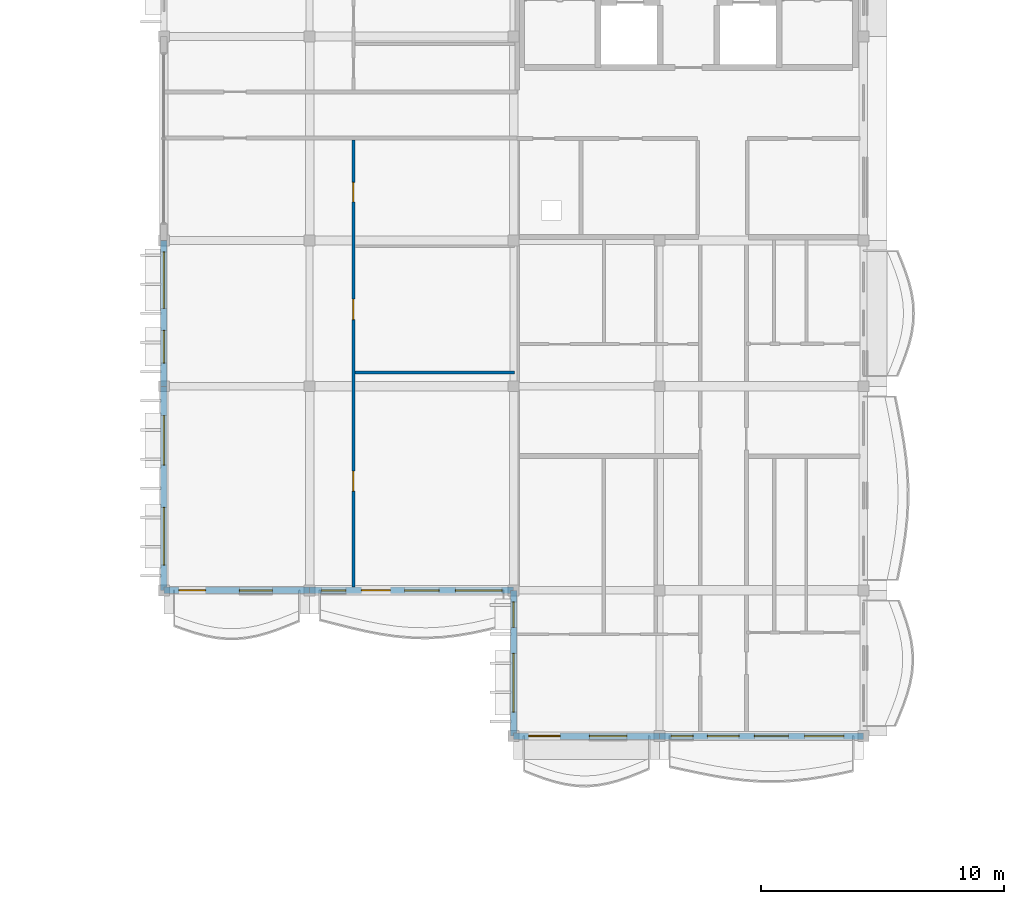
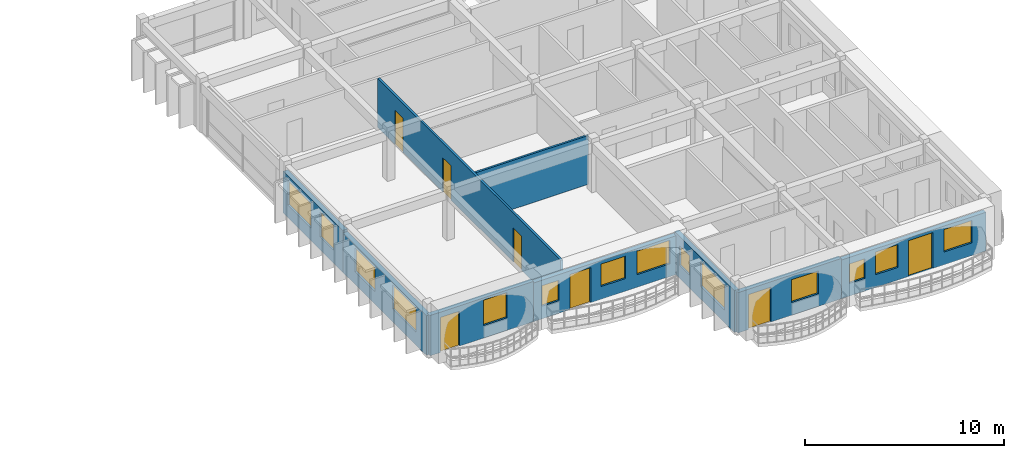
# One storey, part 38 of 68: 14 windows, 9 walls, 7 doors, 21 openings.
"""IFC4 building model written with IfcOpenShell, lengths in metres."""

from ifc_helpers import new_model, si_unit, direction, frame, frame_2d, origin, place, context, subcontext, project, spatial, rectangle, extrude, material, layer, layer_set, type_object, element, fill, save


model = new_model("IFC4")

# Units and contexts
model_context = context("Model", 3, precision=1e-05, world=origin(), true_north=direction((0.0, 1.0)))
body_context = subcontext(model_context, "Body", "Model", "MODEL_VIEW")
ifc_project = project(units=[si_unit("LENGTHUNIT", "METRE"), si_unit("AREAUNIT", "SQUARE_METRE"), si_unit("VOLUMEUNIT", "CUBIC_METRE"), si_unit("PLANEANGLEUNIT", "RADIAN"), si_unit("MASSUNIT", "GRAM", prefix="KILO"), si_unit("THERMODYNAMICTEMPERATUREUNIT", "KELVIN")], contexts=[model_context])

# Site, building, storey
site_placement = place(None, origin())
site = spatial("IfcSite", under=ifc_project, at=site_placement, CompositionType="ELEMENT")
building_placement = place(site_placement, origin())
building = spatial("IfcBuilding", under=site, at=building_placement, Name="Thalorik Housing Commons", CompositionType="ELEMENT")
storey_placement = place(building_placement, frame((0.0, 0.0, 24.60009765625)))
storey = spatial("IfcBuildingStorey", under=building, at=storey_placement, Name="L07", CompositionType="ELEMENT", Elevation=24.60009765625)

# Wall, openings, windows
ifc_material_1 = material(Name="White precast concrete C40/50", Category="concrete")
ifc_layer_1 = layer(ifc_material_1, 0.264892578125, Name="White precast concrete C40/50", Category="concrete")
ifc_layer_set_1 = layer_set([ifc_layer_1], Name="White precast concrete C40/50")
wall_type_1 = type_object("IfcWallType", Name="ARC-WAL-EXT-265", PredefinedType="STANDARD", material=ifc_layer_set_1)
wall_1_placement = place(storey_placement, frame((138.0, 57.60009765625, 0.0), z_axis=(0.0, 0.0, 1.0), x_axis=(0.0, -1.0, 0.0)))
wall_1 = element("IfcWall", 1, at=wall_1_placement, inside=storey, type_object=wall_type_1, Name="L07 Exterior Wall WAL-EXT-L07-D-1247", PredefinedType="STANDARD", context=body_context, shape_type="SweptSolid", body=[
    extrude(rectangle(XDim=6.0, YDim=0.264892578125, at=frame_2d((3.0, 0.0))), origin(), (0.0, 0.0, 1.0), 2.574951171875),
])
opening_1_placement = place(wall_1_placement, frame((0.469970703125, 0.0, 0.780029296875)))
opening_1 = element("IfcOpeningElement", 2, at=opening_1_placement, cuts=wall_1, Name="Opening W-68", PredefinedType="OPENING", context=body_context, shape_type="SweptSolid", body=[
    extrude(rectangle(XDim=2.320068359375, YDim=1.5, at=frame_2d((1.16015625, 0.75))), frame((0.0, 0.142578125, 0.0), z_axis=(0.0, -1.0, 0.0), x_axis=(1.0, 0.0, 0.0)), (0.0, 0.0, 1.0), 0.284912109375),
])
opening_2_placement = place(wall_1_placement, frame((3.695068359375, 0.0, 0.780029296875)))
opening_2 = element("IfcOpeningElement", 3, at=opening_2_placement, cuts=wall_1, Name="Opening W-07", PredefinedType="OPENING", context=body_context, shape_type="SweptSolid", body=[
    extrude(rectangle(XDim=1.35009765625, YDim=1.550048828125, at=frame_2d((0.675048828125, 0.77490234375))), frame((0.0, 0.142578125, 0.0), z_axis=(0.0, -1.0, 0.0), x_axis=(1.0, 0.0, 0.0)), (0.0, 0.0, 1.0), 0.284912109375),
])
ifc_material_2 = material(Name="Anodised aluminium and solar-control low-E glass", Category="aluminium")
window_type_1 = type_object("IfcWindowType", Name="ARC-WIN-07", PartitioningType="SINGLE_PANEL", PredefinedType="WINDOW", material=ifc_material_2)
window_1_placement = place(opening_2_placement, origin())
window_1 = element("IfcWindow", 4, at=window_1_placement, inside=storey, type_object=window_type_1, Name="L07 Facade Window 2272", OverallHeight=1.550048828125, OverallWidth=1.35009765625, PartitioningType="SINGLE_PANEL", PredefinedType="WINDOW", context=body_context, shape_type="SweptSolid", body=[
    extrude(rectangle(XDim=1.35009765625, YDim=1.550048828125, at=frame_2d((0.675048828125, 0.77490234375))), frame((0.0, 0.030029296875, 0.0), z_axis=(0.0, -1.0, 0.0), x_axis=(1.0, 0.0, 0.0)), (0.0, 0.0, 1.0), 0.06005859375),
])
fill(opening_2, window_1)
window_type_2 = type_object("IfcWindowType", Name="ARC-WIN-68", PartitioningType="DOUBLE_PANEL_VERTICAL", PredefinedType="WINDOW", material=ifc_material_2)
window_2_placement = place(opening_1_placement, origin())
window_2 = element("IfcWindow", 5, at=window_2_placement, inside=storey, type_object=window_type_2, Name="L07 Facade Window 2271", OverallHeight=1.5, OverallWidth=2.320068359375, PartitioningType="DOUBLE_PANEL_VERTICAL", PredefinedType="WINDOW", context=body_context, shape_type="SweptSolid", body=[
    extrude(rectangle(XDim=2.320068359375, YDim=1.5, at=frame_2d((1.16015625, 0.75))), frame((0.0, 0.030029296875, 0.0), z_axis=(0.0, -1.0, 0.0), x_axis=(1.0, 0.0, 0.0)), (0.0, 0.0, 1.0), 0.06005859375),
])
fill(opening_1, window_2)

wall_2_placement = place(storey_placement, frame((138.0, 51.60009765625, 0.0), z_axis=(0.0, 0.0, 1.0), x_axis=(0.0, -1.0, 0.0)))
wall_2 = element("IfcWall", 6, at=wall_2_placement, inside=storey, type_object=wall_type_1, Name="L07 Exterior Wall WAL-EXT-L07-D-1248", PredefinedType="STANDARD", context=body_context, shape_type="SweptSolid", body=[
    extrude(rectangle(XDim=8.400146484375, YDim=0.264892578125, at=frame_2d((4.2001953125, 0.0))), origin(), (0.0, 0.0, 1.0), 2.4248046875),
])
opening_3_placement = place(wall_2_placement, frame((1.2099609375, 0.0, 0.780029296875)))
opening_3 = element("IfcOpeningElement", 7, at=opening_3_placement, cuts=wall_2, Name="Opening W-62", PredefinedType="OPENING", context=body_context, shape_type="SweptSolid", body=[
    extrude(rectangle(XDim=2.0400390625, YDim=1.4599609375, at=frame_2d((1.02001953125, 0.72998046875))), frame((0.0, 0.142578125, 0.0), z_axis=(0.0, -1.0, 0.0), x_axis=(1.0, 0.0, 0.0)), (0.0, 0.0, 1.0), 0.284912109375),
])
opening_4_placement = place(wall_2_placement, frame((4.97998046875, 0.0, 0.780029296875)))
opening_4 = element("IfcOpeningElement", 8, at=opening_4_placement, cuts=wall_2, Name="Opening W-69", PredefinedType="OPENING", context=body_context, shape_type="SweptSolid", body=[
    extrude(rectangle(XDim=2.3798828125, YDim=1.47998046875, at=frame_2d((1.18994140625, 0.739990234375))), frame((0.0, 0.142578125, 0.0), z_axis=(0.0, -1.0, 0.0), x_axis=(1.0, 0.0, 0.0)), (0.0, 0.0, 1.0), 0.284912109375),
])
window_type_3 = type_object("IfcWindowType", Name="ARC-WIN-62", PartitioningType="DOUBLE_PANEL_VERTICAL", PredefinedType="WINDOW", material=ifc_material_2)
window_3_placement = place(opening_3_placement, origin())
window_3 = element("IfcWindow", 9, at=window_3_placement, inside=storey, type_object=window_type_3, Name="L07 Facade Window 2273", OverallHeight=1.4599609375, OverallWidth=2.0400390625, PartitioningType="DOUBLE_PANEL_VERTICAL", PredefinedType="WINDOW", context=body_context, shape_type="SweptSolid", body=[
    extrude(rectangle(XDim=2.0400390625, YDim=1.4599609375, at=frame_2d((1.02001953125, 0.72998046875))), frame((0.0, 0.030029296875, 0.0), z_axis=(0.0, -1.0, 0.0), x_axis=(1.0, 0.0, 0.0)), (0.0, 0.0, 1.0), 0.06005859375),
])
fill(opening_3, window_3)
window_type_4 = type_object("IfcWindowType", Name="ARC-WIN-69", PartitioningType="DOUBLE_PANEL_VERTICAL", PredefinedType="WINDOW", material=ifc_material_2)
window_4_placement = place(opening_4_placement, origin())
window_4 = element("IfcWindow", 10, at=window_4_placement, inside=storey, type_object=window_type_4, Name="L07 Facade Window 2274", OverallHeight=1.47998046875, OverallWidth=2.3798828125, PartitioningType="DOUBLE_PANEL_VERTICAL", PredefinedType="WINDOW", context=body_context, shape_type="SweptSolid", body=[
    extrude(rectangle(XDim=2.3798828125, YDim=1.47998046875, at=frame_2d((1.18994140625, 0.739990234375))), frame((0.0, 0.030029296875, 0.0), z_axis=(0.0, -1.0, 0.0), x_axis=(1.0, 0.0, 0.0)), (0.0, 0.0, 1.0), 0.06005859375),
])
fill(opening_4, window_4)

# Wall, openings, door, window
wall_3_placement = place(storey_placement, frame((138.0, 43.199951171875, 0.0), z_axis=(0.0, 0.0, 1.0), x_axis=(1.0, 0.0, 0.0)))
wall_3 = element("IfcWall", 11, at=wall_3_placement, inside=storey, type_object=wall_type_1, Name="L07 Exterior Wall WAL-EXT-L07-D-1249", PredefinedType="STANDARD", context=body_context, shape_type="SweptSolid", body=[
    extrude(rectangle(XDim=6.0, YDim=0.264892578125, at=frame_2d((3.0, 0.0))), origin(), (0.0, 0.0, 1.0), 2.474853515625),
])
opening_5_placement = place(wall_3_placement, frame((0.6201171875, 0.0, 0.0)))
opening_5 = element("IfcOpeningElement", 12, at=opening_5_placement, cuts=wall_3, Name="Opening ED-0423", PredefinedType="OPENING", context=body_context, shape_type="SweptSolid", body=[
    extrude(rectangle(XDim=1.10009765625, YDim=2.14990234375, at=frame_2d((0.550048828125, 1.074951171875))), frame((0.0, 0.142578125, 0.0), z_axis=(0.0, -1.0, 0.0), x_axis=(1.0, 0.0, 0.0)), (0.0, 0.0, 1.0), 0.284912109375),
])
opening_6_placement = place(wall_3_placement, frame((3.114990234375, 0.0, 0.780029296875)))
opening_6 = element("IfcOpeningElement", 13, at=opening_6_placement, cuts=wall_3, Name="Opening W-07", PredefinedType="OPENING", context=body_context, shape_type="SweptSolid", body=[
    extrude(rectangle(XDim=1.35009765625, YDim=1.550048828125, at=frame_2d((0.675048828125, 0.77490234375))), frame((0.0, 0.142578125, 0.0), z_axis=(0.0, -1.0, 0.0), x_axis=(1.0, 0.0, 0.0)), (0.0, 0.0, 1.0), 0.284912109375),
])
ifc_material_3 = material(Name="Anodised aluminium and laminated safety glass", Category="aluminium")
door_type_1 = type_object("IfcDoorType", Name="ARC-DR-BAL-1100", OperationType="NOTDEFINED", PredefinedType="DOOR", material=ifc_material_3)
door_1_placement = place(opening_5_placement, frame((1.10009765625, 0.0, 0.0), z_axis=(0.0, 0.0, 1.0), x_axis=(-1.0, 0.0, 0.0)))
door_1 = element("IfcDoor", 14, at=door_1_placement, inside=storey, type_object=door_type_1, Name="L07 Block D Balcony Glazed Door", OperationType="SINGLE_SWING_RIGHT", OverallHeight=2.14990234375, OverallWidth=1.10009765625, PredefinedType="DOOR", context=body_context, shape_type="SweptSolid", body=[
    extrude(rectangle(XDim=1.10009765625, YDim=2.14990234375, at=frame_2d((0.550048828125, 1.074951171875))), frame((0.0, 0.02490234375, 0.0), z_axis=(0.0, -1.0, 0.0), x_axis=(1.0, 0.0, 0.0)), (0.0, 0.0, 1.0), 0.050048828125),
])
fill(opening_5, door_1)
window_5_placement = place(opening_6_placement, origin())
window_5 = element("IfcWindow", 15, at=window_5_placement, inside=storey, type_object=window_type_1, Name="L07 Facade Window 2275", OverallHeight=1.550048828125, OverallWidth=1.35009765625, PartitioningType="SINGLE_PANEL", PredefinedType="WINDOW", context=body_context, shape_type="SweptSolid", body=[
    extrude(rectangle(XDim=1.35009765625, YDim=1.550048828125, at=frame_2d((0.675048828125, 0.77490234375))), frame((0.0, 0.030029296875, 0.0), z_axis=(0.0, -1.0, 0.0), x_axis=(1.0, 0.0, 0.0)), (0.0, 0.0, 1.0), 0.06005859375),
])
fill(opening_6, window_5)

# Wall, openings, door, windows
wall_4_placement = place(storey_placement, frame((144.0, 43.199951171875, 0.0), z_axis=(0.0, 0.0, 1.0), x_axis=(1.0, 0.0, 0.0)))
wall_4 = element("IfcWall", 16, at=wall_4_placement, inside=storey, type_object=wall_type_1, Name="L07 Exterior Wall WAL-EXT-L07-D-1250", PredefinedType="STANDARD", context=body_context, shape_type="SweptSolid", body=[
    extrude(rectangle(XDim=8.39990234375, YDim=0.264892578125, at=frame_2d((4.199951171875, 0.0))), origin(), (0.0, 0.0, 1.0), 2.375),
])
opening_7_placement = place(wall_4_placement, frame((2.1298828125, 0.0, 0.0)))
opening_7 = element("IfcOpeningElement", 17, at=opening_7_placement, cuts=wall_4, Name="Opening ED-0424", PredefinedType="OPENING", context=body_context, shape_type="SweptSolid", body=[
    extrude(rectangle(XDim=1.199951171875, YDim=2.14990234375, at=frame_2d((0.60009765625, 1.074951171875))), frame((0.0, 0.142578125, 0.0), z_axis=(0.0, -1.0, 0.0), x_axis=(1.0, 0.0, 0.0)), (0.0, 0.0, 1.0), 0.284912109375),
])
opening_8_placement = place(wall_4_placement, frame((0.4951171875, 0.0, 0.780029296875)))
opening_8 = element("IfcOpeningElement", 18, at=opening_8_placement, cuts=wall_4, Name="Opening W-02", PredefinedType="OPENING", context=body_context, shape_type="SweptSolid", body=[
    extrude(rectangle(XDim=1.0, YDim=1.25, at=frame_2d((0.5, 0.625))), frame((0.0, 0.142578125, 0.0), z_axis=(0.0, -1.0, 0.0), x_axis=(1.0, 0.0, 0.0)), (0.0, 0.0, 1.0), 0.284912109375),
])
opening_9_placement = place(wall_4_placement, frame((3.91259765625, 0.0, 0.780029296875)))
opening_9 = element("IfcOpeningElement", 19, at=opening_9_placement, cuts=wall_4, Name="Opening W-50", PredefinedType="OPENING", context=body_context, shape_type="SweptSolid", body=[
    extrude(rectangle(XDim=1.419921875, YDim=1.3798828125, at=frame_2d((0.7099609375, 0.68994140625))), frame((0.0, 0.142578125, 0.0), z_axis=(0.0, -1.0, 0.0), x_axis=(1.0, 0.0, 0.0)), (0.0, 0.0, 1.0), 0.284912109375),
])
opening_10_placement = place(wall_4_placement, frame((6.007568359375, 0.0, 0.780029296875)))
opening_10 = element("IfcOpeningElement", 20, at=opening_10_placement, cuts=wall_4, Name="Opening W-60", PredefinedType="OPENING", context=body_context, shape_type="SweptSolid", body=[
    extrude(rectangle(XDim=1.919921875, YDim=1.43994140625, at=frame_2d((0.9599609375, 0.719970703125))), frame((0.0, 0.142578125, 0.0), z_axis=(0.0, -1.0, 0.0), x_axis=(1.0, 0.0, 0.0)), (0.0, 0.0, 1.0), 0.284912109375),
])
door_type_2 = type_object("IfcDoorType", Name="ARC-DR-BAL-1200", OperationType="NOTDEFINED", PredefinedType="DOOR", material=ifc_material_3)
door_2_placement = place(opening_7_placement, frame((1.199951171875, 0.0, 0.0), z_axis=(0.0, 0.0, 1.0), x_axis=(-1.0, 0.0, 0.0)))
door_2 = element("IfcDoor", 21, at=door_2_placement, inside=storey, type_object=door_type_2, Name="L07 Block D Balcony Glazed Door", OperationType="SINGLE_SWING_LEFT", OverallHeight=2.14990234375, OverallWidth=1.199951171875, PredefinedType="DOOR", context=body_context, shape_type="SweptSolid", body=[
    extrude(rectangle(XDim=1.199951171875, YDim=2.14990234375, at=frame_2d((0.60009765625, 1.074951171875))), frame((0.0, 0.02490234375, 0.0), z_axis=(0.0, -1.0, 0.0), x_axis=(1.0, 0.0, 0.0)), (0.0, 0.0, 1.0), 0.050048828125),
])
fill(opening_7, door_2)
window_type_5 = type_object("IfcWindowType", Name="ARC-WIN-02", PartitioningType="SINGLE_PANEL", PredefinedType="WINDOW", material=ifc_material_2)
window_6_placement = place(opening_8_placement, origin())
window_6 = element("IfcWindow", 22, at=window_6_placement, inside=storey, type_object=window_type_5, Name="L07 Facade Window 2276", OverallHeight=1.25, OverallWidth=1.0, PartitioningType="SINGLE_PANEL", PredefinedType="WINDOW", context=body_context, shape_type="SweptSolid", body=[
    extrude(rectangle(XDim=1.0, YDim=1.25, at=frame_2d((0.5, 0.625))), frame((0.0, 0.030029296875, 0.0), z_axis=(0.0, -1.0, 0.0), x_axis=(1.0, 0.0, 0.0)), (0.0, 0.0, 1.0), 0.06005859375),
])
fill(opening_8, window_6)
window_type_6 = type_object("IfcWindowType", Name="ARC-WIN-50", PartitioningType="SINGLE_PANEL", PredefinedType="WINDOW", material=ifc_material_2)
window_7_placement = place(opening_9_placement, origin())
window_7 = element("IfcWindow", 23, at=window_7_placement, inside=storey, type_object=window_type_6, Name="L07 Facade Window 2277", OverallHeight=1.3798828125, OverallWidth=1.419921875, PartitioningType="SINGLE_PANEL", PredefinedType="WINDOW", context=body_context, shape_type="SweptSolid", body=[
    extrude(rectangle(XDim=1.419921875, YDim=1.3798828125, at=frame_2d((0.7099609375, 0.68994140625))), frame((0.0, 0.030029296875, 0.0), z_axis=(0.0, -1.0, 0.0), x_axis=(1.0, 0.0, 0.0)), (0.0, 0.0, 1.0), 0.06005859375),
])
fill(opening_9, window_7)
window_type_7 = type_object("IfcWindowType", Name="ARC-WIN-60", PartitioningType="DOUBLE_PANEL_VERTICAL", PredefinedType="WINDOW", material=ifc_material_2)
window_8_placement = place(opening_10_placement, origin())
window_8 = element("IfcWindow", 24, at=window_8_placement, inside=storey, type_object=window_type_7, Name="L07 Facade Window 2278", OverallHeight=1.43994140625, OverallWidth=1.919921875, PartitioningType="DOUBLE_PANEL_VERTICAL", PredefinedType="WINDOW", context=body_context, shape_type="SweptSolid", body=[
    extrude(rectangle(XDim=1.919921875, YDim=1.43994140625, at=frame_2d((0.9599609375, 0.719970703125))), frame((0.0, 0.030029296875, 0.0), z_axis=(0.0, -1.0, 0.0), x_axis=(1.0, 0.0, 0.0)), (0.0, 0.0, 1.0), 0.06005859375),
])
fill(opening_10, window_8)

# Wall, openings, windows
wall_5_placement = place(storey_placement, frame((152.39990234375, 43.199951171875, 0.0), z_axis=(0.0, 0.0, 1.0), x_axis=(0.0, -1.0, 0.0)))
wall_5 = element("IfcWall", 25, at=wall_5_placement, inside=storey, type_object=wall_type_1, Name="L07 Exterior Wall WAL-EXT-L07-D-1251", PredefinedType="STANDARD", context=body_context, shape_type="SweptSolid", body=[
    extrude(rectangle(XDim=6.0, YDim=0.264892578125, at=frame_2d((3.0, 0.0))), origin(), (0.0, 0.0, 1.0), 2.574951171875),
])
opening_11_placement = place(wall_5_placement, frame((0.472412109375, 0.0, 0.780029296875)))
opening_11 = element("IfcOpeningElement", 26, at=opening_11_placement, cuts=wall_5, Name="Opening W-44", PredefinedType="OPENING", context=body_context, shape_type="SweptSolid", body=[
    extrude(rectangle(XDim=1.050048828125, YDim=1.199951171875, at=frame_2d((0.52490234375, 0.60009765625))), frame((0.0, 0.142578125, 0.0), z_axis=(0.0, -1.0, 0.0), x_axis=(1.0, 0.0, 0.0)), (0.0, 0.0, 1.0), 0.284912109375),
])
opening_12_placement = place(wall_5_placement, frame((2.597412109375, 0.0, 0.780029296875)))
opening_12 = element("IfcOpeningElement", 27, at=opening_12_placement, cuts=wall_5, Name="Opening W-70", PredefinedType="OPENING", context=body_context, shape_type="SweptSolid", body=[
    extrude(rectangle(XDim=2.419921875, YDim=1.52001953125, at=frame_2d((1.2099609375, 0.760009765625))), frame((0.0, 0.142578125, 0.0), z_axis=(0.0, -1.0, 0.0), x_axis=(1.0, 0.0, 0.0)), (0.0, 0.0, 1.0), 0.284912109375),
])
window_type_8 = type_object("IfcWindowType", Name="ARC-WIN-44", PartitioningType="SINGLE_PANEL", PredefinedType="WINDOW", material=ifc_material_2)
window_9_placement = place(opening_11_placement, origin())
window_9 = element("IfcWindow", 28, at=window_9_placement, inside=storey, type_object=window_type_8, Name="L07 Facade Window 2279", OverallHeight=1.199951171875, OverallWidth=1.050048828125, PartitioningType="SINGLE_PANEL", PredefinedType="WINDOW", context=body_context, shape_type="SweptSolid", body=[
    extrude(rectangle(XDim=1.050048828125, YDim=1.199951171875, at=frame_2d((0.52490234375, 0.60009765625))), frame((0.0, 0.030029296875, 0.0), z_axis=(0.0, -1.0, 0.0), x_axis=(1.0, 0.0, 0.0)), (0.0, 0.0, 1.0), 0.06005859375),
])
fill(opening_11, window_9)
window_type_9 = type_object("IfcWindowType", Name="ARC-WIN-70", PartitioningType="DOUBLE_PANEL_VERTICAL", PredefinedType="WINDOW", material=ifc_material_2)
window_10_placement = place(opening_12_placement, origin())
window_10 = element("IfcWindow", 29, at=window_10_placement, inside=storey, type_object=window_type_9, Name="L07 Facade Window 2280", OverallHeight=1.52001953125, OverallWidth=2.419921875, PartitioningType="DOUBLE_PANEL_VERTICAL", PredefinedType="WINDOW", context=body_context, shape_type="SweptSolid", body=[
    extrude(rectangle(XDim=2.419921875, YDim=1.52001953125, at=frame_2d((1.2099609375, 0.760009765625))), frame((0.0, 0.030029296875, 0.0), z_axis=(0.0, -1.0, 0.0), x_axis=(1.0, 0.0, 0.0)), (0.0, 0.0, 1.0), 0.06005859375),
])
fill(opening_12, window_10)

# Wall, openings, door, window
wall_6_placement = place(storey_placement, frame((152.39990234375, 37.199951171875, 0.0), z_axis=(0.0, 0.0, 1.0), x_axis=(1.0, 0.0, 0.0)))
wall_6 = element("IfcWall", 30, at=wall_6_placement, inside=storey, type_object=wall_type_1, Name="L07 Exterior Wall WAL-EXT-L07-D-1252", PredefinedType="STANDARD", context=body_context, shape_type="SweptSolid", body=[
    extrude(rectangle(XDim=6.0, YDim=0.264892578125, at=frame_2d((3.0, 0.0))), origin(), (0.0, 0.0, 1.0), 2.474853515625),
])
opening_13_placement = place(wall_6_placement, frame((0.6201171875, 0.0, 0.0)))
opening_13 = element("IfcOpeningElement", 31, at=opening_13_placement, cuts=wall_6, Name="Opening ED-0425", PredefinedType="OPENING", context=body_context, shape_type="SweptSolid", body=[
    extrude(rectangle(XDim=1.300048828125, YDim=2.14990234375, at=frame_2d((0.64990234375, 1.074951171875))), frame((0.0, 0.142578125, 0.0), z_axis=(0.0, -1.0, 0.0), x_axis=(1.0, 0.0, 0.0)), (0.0, 0.0, 1.0), 0.284912109375),
])
opening_14_placement = place(wall_6_placement, frame((3.114990234375, 0.0, 0.780029296875)))
opening_14 = element("IfcOpeningElement", 32, at=opening_14_placement, cuts=wall_6, Name="Opening W-12", PredefinedType="OPENING", context=body_context, shape_type="SweptSolid", body=[
    extrude(rectangle(XDim=1.550048828125, YDim=1.39990234375, at=frame_2d((0.77490234375, 0.699951171875))), frame((0.0, 0.142578125, 0.0), z_axis=(0.0, -1.0, 0.0), x_axis=(1.0, 0.0, 0.0)), (0.0, 0.0, 1.0), 0.284912109375),
])
door_type_3 = type_object("IfcDoorType", Name="ARC-DR-BAL-1300", OperationType="NOTDEFINED", PredefinedType="DOOR", material=ifc_material_3)
door_3_placement = place(opening_13_placement, frame((1.300048828125, 0.0, 0.0), z_axis=(0.0, 0.0, 1.0), x_axis=(-1.0, 0.0, 0.0)))
door_3 = element("IfcDoor", 33, at=door_3_placement, inside=storey, type_object=door_type_3, Name="L07 Block D Balcony Glazed Door", OperationType="SINGLE_SWING_RIGHT", OverallHeight=2.14990234375, OverallWidth=1.300048828125, PredefinedType="DOOR", context=body_context, shape_type="SweptSolid", body=[
    extrude(rectangle(XDim=1.300048828125, YDim=2.14990234375, at=frame_2d((0.64990234375, 1.074951171875))), frame((0.0, 0.02490234375, 0.0), z_axis=(0.0, -1.0, 0.0), x_axis=(1.0, 0.0, 0.0)), (0.0, 0.0, 1.0), 0.050048828125),
])
fill(opening_13, door_3)
window_type_10 = type_object("IfcWindowType", Name="ARC-WIN-12", PartitioningType="SINGLE_PANEL", PredefinedType="WINDOW", material=ifc_material_2)
window_11_placement = place(opening_14_placement, origin())
window_11 = element("IfcWindow", 34, at=window_11_placement, inside=storey, type_object=window_type_10, Name="L07 Facade Window 2281", OverallHeight=1.39990234375, OverallWidth=1.550048828125, PartitioningType="SINGLE_PANEL", PredefinedType="WINDOW", context=body_context, shape_type="SweptSolid", body=[
    extrude(rectangle(XDim=1.550048828125, YDim=1.39990234375, at=frame_2d((0.77490234375, 0.699951171875))), frame((0.0, 0.030029296875, 0.0), z_axis=(0.0, -1.0, 0.0), x_axis=(1.0, 0.0, 0.0)), (0.0, 0.0, 1.0), 0.06005859375),
])
fill(opening_14, window_11)

# Wall, openings, door, windows
wall_7_placement = place(storey_placement, frame((158.39990234375, 37.199951171875, 0.0), z_axis=(0.0, 0.0, 1.0), x_axis=(1.0, 0.0, 0.0)))
wall_7 = element("IfcWall", 35, at=wall_7_placement, inside=storey, type_object=wall_type_1, Name="L07 Exterior Wall WAL-EXT-L07-D-1253", PredefinedType="STANDARD", context=body_context, shape_type="SweptSolid", body=[
    extrude(rectangle(XDim=8.400146484375, YDim=0.264892578125, at=frame_2d((4.2001953125, 0.0))), origin(), (0.0, 0.0, 1.0), 2.375),
])
opening_15_placement = place(wall_7_placement, frame((3.909912109375, 0.0, 0.0)))
opening_15 = element("IfcOpeningElement", 36, at=opening_15_placement, cuts=wall_7, Name="Opening ED-0426", PredefinedType="OPENING", context=body_context, shape_type="SweptSolid", body=[
    extrude(rectangle(XDim=1.39990234375, YDim=2.199951171875, at=frame_2d((0.699951171875, 1.10009765625))), frame((0.0, 0.142578125, 0.0), z_axis=(0.0, -1.0, 0.0), x_axis=(1.0, 0.0, 0.0)), (0.0, 0.0, 1.0), 0.284912109375),
])
opening_16_placement = place(wall_7_placement, frame((0.485107421875, 0.0, 0.780029296875)))
opening_16 = element("IfcOpeningElement", 37, at=opening_16_placement, cuts=wall_7, Name="Opening W-01", PredefinedType="OPENING", context=body_context, shape_type="SweptSolid", body=[
    extrude(rectangle(XDim=0.89990234375, YDim=1.199951171875, at=frame_2d((0.449951171875, 0.60009765625))), frame((0.0, 0.142578125, 0.0), z_axis=(0.0, -1.0, 0.0), x_axis=(1.0, 0.0, 0.0)), (0.0, 0.0, 1.0), 0.284912109375),
])
opening_17_placement = place(wall_7_placement, frame((1.97998046875, 0.0, 0.780029296875)))
opening_17 = element("IfcOpeningElement", 38, at=opening_17_placement, cuts=wall_7, Name="Opening W-06", PredefinedType="OPENING", context=body_context, shape_type="SweptSolid", body=[
    extrude(rectangle(XDim=1.300048828125, YDim=1.39990234375, at=frame_2d((0.64990234375, 0.699951171875))), frame((0.0, 0.142578125, 0.0), z_axis=(0.0, -1.0, 0.0), x_axis=(1.0, 0.0, 0.0)), (0.0, 0.0, 1.0), 0.284912109375),
])
opening_18_placement = place(wall_7_placement, frame((5.97509765625, 0.0, 0.780029296875)))
opening_18 = element("IfcOpeningElement", 39, at=opening_18_placement, cuts=wall_7, Name="Opening W-54", PredefinedType="OPENING", context=body_context, shape_type="SweptSolid", body=[
    extrude(rectangle(XDim=1.6201171875, YDim=1.3798828125, at=frame_2d((0.81005859375, 0.68994140625))), frame((0.0, 0.142578125, 0.0), z_axis=(0.0, -1.0, 0.0), x_axis=(1.0, 0.0, 0.0)), (0.0, 0.0, 1.0), 0.284912109375),
])
door_type_4 = type_object("IfcDoorType", Name="ARC-DR-BAL-1400", OperationType="NOTDEFINED", PredefinedType="DOOR", material=ifc_material_3)
door_4_placement = place(opening_15_placement, frame((1.39990234375, 0.0, 0.0), z_axis=(0.0, 0.0, 1.0), x_axis=(-1.0, 0.0, 0.0)))
door_4 = element("IfcDoor", 40, at=door_4_placement, inside=storey, type_object=door_type_4, Name="L07 Block D Balcony Glazed Door", OperationType="SLIDING_TO_LEFT", OverallHeight=2.199951171875, OverallWidth=1.39990234375, PredefinedType="DOOR", context=body_context, shape_type="SweptSolid", body=[
    extrude(rectangle(XDim=1.39990234375, YDim=2.199951171875, at=frame_2d((0.699951171875, 1.10009765625))), frame((0.0, 0.02490234375, 0.0), z_axis=(0.0, -1.0, 0.0), x_axis=(1.0, 0.0, 0.0)), (0.0, 0.0, 1.0), 0.050048828125),
])
fill(opening_15, door_4)
window_type_11 = type_object("IfcWindowType", Name="ARC-WIN-01", PartitioningType="SINGLE_PANEL", PredefinedType="WINDOW", material=ifc_material_2)
window_12_placement = place(opening_16_placement, origin())
window_12 = element("IfcWindow", 41, at=window_12_placement, inside=storey, type_object=window_type_11, Name="L07 Facade Window 2282", OverallHeight=1.199951171875, OverallWidth=0.89990234375, PartitioningType="SINGLE_PANEL", PredefinedType="WINDOW", context=body_context, shape_type="SweptSolid", body=[
    extrude(rectangle(XDim=0.89990234375, YDim=1.199951171875, at=frame_2d((0.449951171875, 0.60009765625))), frame((0.0, 0.030029296875, 0.0), z_axis=(0.0, -1.0, 0.0), x_axis=(1.0, 0.0, 0.0)), (0.0, 0.0, 1.0), 0.06005859375),
])
fill(opening_16, window_12)
window_type_12 = type_object("IfcWindowType", Name="ARC-WIN-06", PartitioningType="SINGLE_PANEL", PredefinedType="WINDOW", material=ifc_material_2)
window_13_placement = place(opening_17_placement, origin())
window_13 = element("IfcWindow", 42, at=window_13_placement, inside=storey, type_object=window_type_12, Name="L07 Facade Window 2283", OverallHeight=1.39990234375, OverallWidth=1.300048828125, PartitioningType="SINGLE_PANEL", PredefinedType="WINDOW", context=body_context, shape_type="SweptSolid", body=[
    extrude(rectangle(XDim=1.300048828125, YDim=1.39990234375, at=frame_2d((0.64990234375, 0.699951171875))), frame((0.0, 0.030029296875, 0.0), z_axis=(0.0, -1.0, 0.0), x_axis=(1.0, 0.0, 0.0)), (0.0, 0.0, 1.0), 0.06005859375),
])
fill(opening_17, window_13)
window_type_13 = type_object("IfcWindowType", Name="ARC-WIN-54", PartitioningType="DOUBLE_PANEL_VERTICAL", PredefinedType="WINDOW", material=ifc_material_2)
window_14_placement = place(opening_18_placement, origin())
window_14 = element("IfcWindow", 43, at=window_14_placement, inside=storey, type_object=window_type_13, Name="L07 Facade Window 2284", OverallHeight=1.3798828125, OverallWidth=1.6201171875, PartitioningType="DOUBLE_PANEL_VERTICAL", PredefinedType="WINDOW", context=body_context, shape_type="SweptSolid", body=[
    extrude(rectangle(XDim=1.6201171875, YDim=1.3798828125, at=frame_2d((0.81005859375, 0.68994140625))), frame((0.0, 0.030029296875, 0.0), z_axis=(0.0, -1.0, 0.0), x_axis=(1.0, 0.0, 0.0)), (0.0, 0.0, 1.0), 0.06005859375),
])
fill(opening_18, window_14)

# Wall
ifc_material_4 = material(Name="Gypsum moisture-resistant partition", Category="masonry")
ifc_layer_2 = layer(ifc_material_4, 0.114990234375, Name="Gypsum moisture-resistant partition", Category="masonry")
ifc_layer_set_2 = layer_set([ifc_layer_2], Name="Gypsum moisture-resistant partition")
wall_type_2 = type_object("IfcWallType", Name="ARC-WAL-PART-115", PredefinedType="PARTITIONING", material=ifc_layer_set_2)
wall_8_placement = place(storey_placement, frame((145.864501953125, 52.168701171875, 0.0), z_axis=(0.0, 0.0, 1.0), x_axis=(1.0, 0.0, 0.0)))
element("IfcWall", 44, at=wall_8_placement, inside=storey, type_object=wall_type_2, Name="L07 Unit 1 Bedroom Partition", PredefinedType="PARTITIONING", context=body_context, shape_type="SweptSolid", body=[
    extrude(rectangle(XDim=6.5634765625, YDim=0.114990234375, at=frame_2d((3.28173828125, 0.0))), origin(), (0.0, 0.0, 1.0), 3.0),
])

# Wall, openings, doors
ifc_material_5 = material(Name="Gypsum acoustic stud partition", Category="masonry")
ifc_layer_3 = layer(ifc_material_5, 0.125, Name="Gypsum acoustic stud partition", Category="masonry")
ifc_layer_set_3 = layer_set([ifc_layer_3], Name="Gypsum acoustic stud partition")
wall_type_3 = type_object("IfcWallType", Name="ARC-WAL-PART-125", PredefinedType="PARTITIONING", material=ifc_layer_set_3)
wall_9_placement = place(storey_placement, frame((145.800048828125, 43.33447265625, 0.0), z_axis=(0.0, 0.0, 1.0), x_axis=(0.0, 1.0, 0.0)))
wall_9 = element("IfcWall", 45, at=wall_9_placement, inside=storey, type_object=wall_type_3, Name="L07 Unit 1 Spine Partition", PredefinedType="PARTITIONING", context=body_context, shape_type="SweptSolid", body=[
    extrude(rectangle(XDim=18.408447265625, YDim=0.125, at=frame_2d((9.2041015625, 0.0))), origin(), (0.0, 0.0, 1.0), 3.0),
])
opening_19_placement = place(wall_9_placement, frame((3.954833984375, 0.0, 0.0)))
opening_19 = element("IfcOpeningElement", 46, at=opening_19_placement, cuts=wall_9, Name="Opening ID-2140", PredefinedType="OPENING", context=body_context, shape_type="SweptSolid", body=[
    extrude(rectangle(XDim=0.820068359375, YDim=2.080078125, at=frame_2d((0.41015625, 1.0400390625))), frame((0.0, 0.072509765625, 0.0), z_axis=(0.0, -1.0, 0.0), x_axis=(1.0, 0.0, 0.0)), (0.0, 0.0, 1.0), 0.14501953125),
])
opening_20_placement = place(wall_9_placement, frame((11.0078125, 0.0, 0.0)))
opening_20 = element("IfcOpeningElement", 47, at=opening_20_placement, cuts=wall_9, Name="Opening ID-2141", PredefinedType="OPENING", context=body_context, shape_type="SweptSolid", body=[
    extrude(rectangle(XDim=0.85009765625, YDim=2.10009765625, at=frame_2d((0.425048828125, 1.050048828125))), frame((0.0, 0.072509765625, 0.0), z_axis=(0.0, -1.0, 0.0), x_axis=(1.0, 0.0, 0.0)), (0.0, 0.0, 1.0), 0.14501953125),
])
opening_21_placement = place(wall_9_placement, frame((15.8583984375, 0.0, 0.0)))
opening_21 = element("IfcOpeningElement", 48, at=opening_21_placement, cuts=wall_9, Name="Opening ID-2142", PredefinedType="OPENING", context=body_context, shape_type="SweptSolid", body=[
    extrude(rectangle(XDim=0.800048828125, YDim=2.10009765625, at=frame_2d((0.39990234375, 1.050048828125))), frame((0.0, 0.072509765625, 0.0), z_axis=(0.0, -1.0, 0.0), x_axis=(1.0, 0.0, 0.0)), (0.0, 0.0, 1.0), 0.14501953125),
])
ifc_material_6 = material(Name="Moisture-resistant timber", Category="wood")
door_type_5 = type_object("IfcDoorType", Name="ARC-DR-INT-800", OperationType="NOTDEFINED", PredefinedType="DOOR", material=ifc_material_6)
door_5_placement = place(opening_21_placement, origin())
door_5 = element("IfcDoor", 49, at=door_5_placement, inside=storey, type_object=door_type_5, Name="L07 Accessible Bathroom Door", OperationType="SINGLE_SWING_LEFT", OverallHeight=2.10009765625, OverallWidth=0.800048828125, PredefinedType="DOOR", context=body_context, shape_type="SweptSolid", body=[
    extrude(rectangle(XDim=0.800048828125, YDim=2.10009765625, at=frame_2d((0.39990234375, 1.050048828125))), frame((0.0, 0.02490234375, 0.0), z_axis=(0.0, -1.0, 0.0), x_axis=(1.0, 0.0, 0.0)), (0.0, 0.0, 1.0), 0.050048828125),
])
fill(opening_21, door_5)
ifc_material_7 = material(Name="Engineered oak timber", Category="wood")
door_type_6 = type_object("IfcDoorType", Name="ARC-DR-INT-820", OperationType="NOTDEFINED", PredefinedType="DOOR", material=ifc_material_7)
door_6_placement = place(opening_19_placement, origin())
door_6 = element("IfcDoor", 50, at=door_6_placement, inside=storey, type_object=door_type_6, Name="L07 Single Bedroom Door", OperationType="SINGLE_SWING_LEFT", OverallHeight=2.080078125, OverallWidth=0.820068359375, PredefinedType="DOOR", context=body_context, shape_type="SweptSolid", body=[
    extrude(rectangle(XDim=0.820068359375, YDim=2.080078125, at=frame_2d((0.41015625, 1.0400390625))), frame((0.0, 0.02490234375, 0.0), z_axis=(0.0, -1.0, 0.0), x_axis=(1.0, 0.0, 0.0)), (0.0, 0.0, 1.0), 0.050048828125),
])
fill(opening_19, door_6)
door_type_7 = type_object("IfcDoorType", Name="ARC-DR-INT-850", OperationType="NOTDEFINED", PredefinedType="DOOR", material=ifc_material_7)
door_7_placement = place(opening_20_placement, origin())
door_7 = element("IfcDoor", 51, at=door_7_placement, inside=storey, type_object=door_type_7, Name="L07 Eat-In Kitchen Door", OperationType="SINGLE_SWING_RIGHT", OverallHeight=2.10009765625, OverallWidth=0.85009765625, PredefinedType="DOOR", context=body_context, shape_type="SweptSolid", body=[
    extrude(rectangle(XDim=0.85009765625, YDim=2.10009765625, at=frame_2d((0.425048828125, 1.050048828125))), frame((0.0, 0.02490234375, 0.0), z_axis=(0.0, -1.0, 0.0), x_axis=(1.0, 0.0, 0.0)), (0.0, 0.0, 1.0), 0.050048828125),
])
fill(opening_20, door_7)

save(model, "model.ifc")
